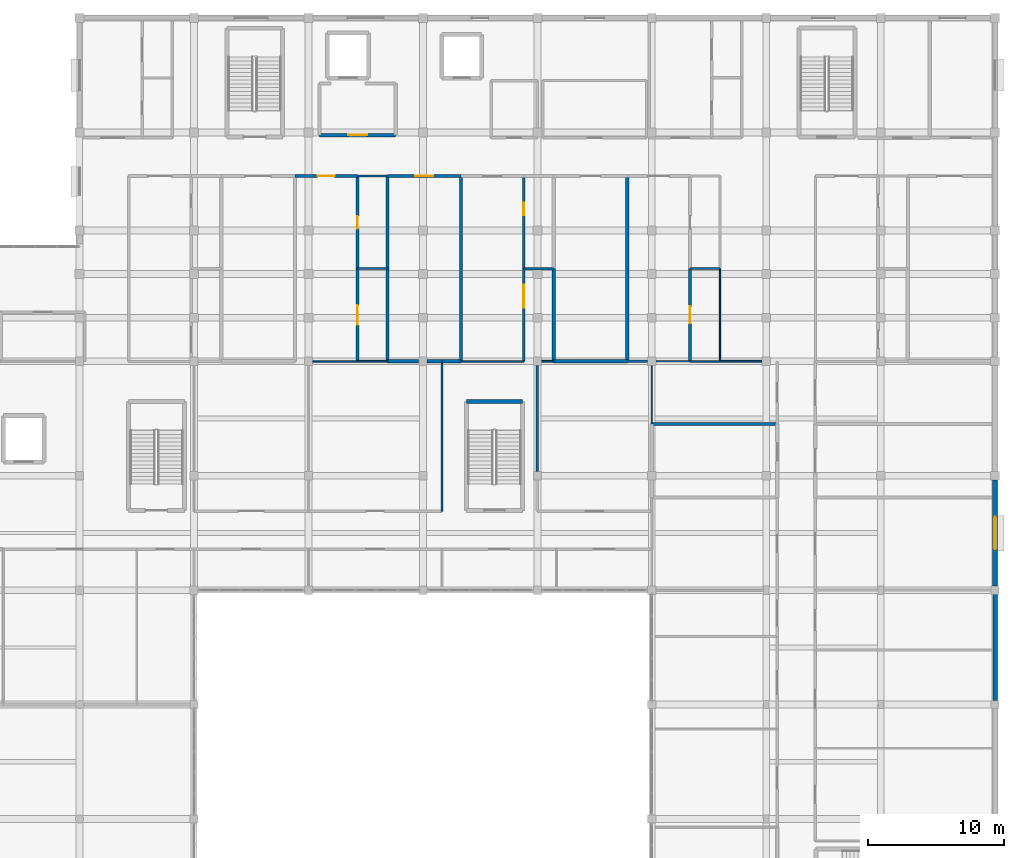
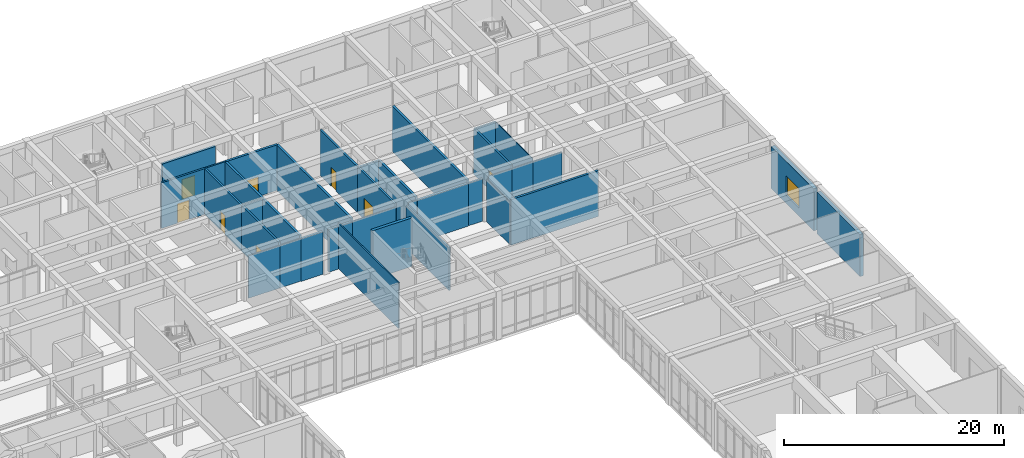
# One storey, part 68 of 89: 37 walls, 8 doors, 1 window, 9 openings.
"""IFC4 building model written with IfcOpenShell, lengths in metres."""

import ifcopenshell
import ifcopenshell.guid

model = None  # the IFC model being written
_history = None  # IfcOwnerHistory: only IFC2X3 demands one
_inside = {}  # id of a spatial element -> (the spatial element, [elements in it])
_under = {}  # id of a project, library or spatial element -> (it, [spatial elements below it])
_declared = {}  # id of a project -> (the project, [libraries it declares])
_typed = {}  # id of a type object -> (the type object, [elements of that type])
_made_of = {}  # id of a material, layer set ... -> (it, [elements and type objects made of it])


def new_model(schema):
    """Start an empty IFC model of exactly this schema.

    Asked for "IFC4X3", IfcOpenShell would pick the latest addendum, in which some entities
    have other attributes; the version numbers below select the first issue.
    IFC2X3 requires an IfcOwnerHistory on every rooted entity: one is made here for all.
    """
    global model, _history
    if schema == "IFC4X3":
        model = ifcopenshell.file(schema_version=(4, 3, 0, 0))
    else:
        model = ifcopenshell.file(schema=schema)
    _inside.clear()
    _under.clear()
    _declared.clear()
    _typed.clear()
    _made_of.clear()
    _history = None
    if model.schema == "IFC2X3":
        org = make("IfcOrganization", Name="unknown")
        user = make(
            "IfcPersonAndOrganization",
            ThePerson=make("IfcPerson", FamilyName="unknown"),
            TheOrganization=org,
        )
        app = make(
            "IfcApplication",
            ApplicationDeveloper=org,
            Version="unknown",
            ApplicationFullName="unknown",
            ApplicationIdentifier="unknown",
        )
        _history = make(
            "IfcOwnerHistory",
            OwningUser=user,
            OwningApplication=app,
            ChangeAction="ADDED",
            CreationDate=0,
        )
    return model


def make(cls, **values):
    """One entity of the class cls with the attributes given. An attribute that is None is left unset."""
    return model.create_entity(
        cls, **{name: value for name, value in values.items() if value is not None}
    )


def rooted(cls, **values):
    """An entity with a GlobalId (a new one), such as an element, a storey or a relation."""
    return make(cls, GlobalId=ifcopenshell.guid.new(), OwnerHistory=_history, **values)


def si_unit(unit_type, name, prefix=None):
    """IfcSIUnit, for example si_unit("LENGTHUNIT", "METRE", prefix="MILLI")."""
    return make("IfcSIUnit", UnitType=unit_type, Prefix=prefix, Name=name)


def assignment(units):
    """IfcUnitAssignment: the units of a project."""
    return None if units is None else make("IfcUnitAssignment", Units=units)


def point(xyz):
    """IfcCartesianPoint."""
    return None if xyz is None else make("IfcCartesianPoint", Coordinates=xyz)


def direction(xyz):
    """IfcDirection."""
    return None if xyz is None else make("IfcDirection", DirectionRatios=xyz)


def frame(location, z_axis=None, x_axis=None):
    """IfcAxis2Placement3D, a coordinate frame: its origin and axes. An axis left out is left unset."""
    return make(
        "IfcAxis2Placement3D",
        Location=point(location),
        Axis=direction(z_axis),
        RefDirection=direction(x_axis),
    )


def frame_2d(location, x_axis=None):
    """IfcAxis2Placement2D, a coordinate frame in the plane: its origin and x axis."""
    return make(
        "IfcAxis2Placement2D", Location=point(location), RefDirection=direction(x_axis)
    )


def origin():
    """The frame at (0, 0, 0) with its axes left unset."""
    return frame((0.0, 0.0, 0.0))


def place(relative_to, where):
    """IfcLocalPlacement: puts the frame where relative to a parent placement (None: the world)."""
    return make(
        "IfcLocalPlacement", PlacementRelTo=relative_to, RelativePlacement=where
    )


def context(
    kind, dimensions, precision=None, world=None, true_north=None, identifier=None
):
    """IfcGeometricRepresentationContext, for example the 3D "Model" context."""
    return make(
        "IfcGeometricRepresentationContext",
        ContextIdentifier=identifier,
        ContextType=kind,
        CoordinateSpaceDimension=dimensions,
        Precision=precision,
        WorldCoordinateSystem=world,
        TrueNorth=true_north,
    )


def subcontext(parent, identifier, kind, view, scale=None):
    """IfcGeometricRepresentationSubContext, for example "Body" below "Model"."""
    return make(
        "IfcGeometricRepresentationSubContext",
        ContextIdentifier=identifier,
        ContextType=kind,
        ParentContext=parent,
        TargetScale=scale,
        TargetView=view,
    )


def project(units=None, contexts=None):
    """IfcProject with its units and contexts."""
    return rooted(
        "IfcProject",
        Name="project",
        RepresentationContexts=contexts,
        UnitsInContext=assignment(units),
    )


def spatial(cls, under=None, at=None, **own):
    """A site, building, storey or space (cls), placed at a placement, below another one or the project."""
    s = rooted(cls, ObjectPlacement=at, **own)
    if under is not None:
        _under.setdefault(under.id(), (under, []))[1].append(s)
    return s


def profile(cls, at=None, kind="AREA", **sizes):
    """A parametric profile (cls). Its sizes go by their IFC names, for example OverallWidth=200.0."""
    return make(cls, ProfileType=kind, Position=at, **sizes)


def rectangle(**sizes):
    """IfcRectangleProfileDef."""
    return profile("IfcRectangleProfileDef", **sizes)


def extrude(swept, where, along, depth):
    """IfcExtrudedAreaSolid: the profile swept, set in the frame where, extruded along a direction by depth."""
    return make(
        "IfcExtrudedAreaSolid",
        SweptArea=swept,
        Position=where,
        ExtrudedDirection=direction(along),
        Depth=depth,
    )


def shape(context_of_items, identifier, shape_type, items):
    """IfcShapeRepresentation: the items that make up one representation, for example the "Body"."""
    return make(
        "IfcShapeRepresentation",
        ContextOfItems=context_of_items,
        RepresentationIdentifier=identifier,
        RepresentationType=shape_type,
        Items=items,
    )


def material(Name=None, Category=None):
    """IfcMaterial."""
    return make("IfcMaterial", Name=Name, Category=Category)


def layer(
    of_material, thickness, ventilated=None, Name=None, Category=None, Priority=None
):
    """IfcMaterialLayer: one layer of a wall or slab, of a material (None: an air gap)."""
    return make(
        "IfcMaterialLayer",
        Material=of_material,
        LayerThickness=thickness,
        IsVentilated=ventilated,
        Name=Name,
        Category=Category,
        Priority=Priority,
    )


def layer_set(layers, Name=None):
    """IfcMaterialLayerSet."""
    return make("IfcMaterialLayerSet", MaterialLayers=layers, LayerSetName=Name)


def made_of(thing, what):
    """Note that an element or type object is made of a material, layer set ...; save() writes the relation."""
    if what is not None:
        _made_of.setdefault(what.id(), (what, []))[1].append(thing)
    return thing


def type_object(cls, material=None, **own):
    """A type object (cls), such as IfcWallType, which elements share."""
    return made_of(rooted(cls, **own), material)


def element(
    cls,
    number,
    at=None,
    inside=None,
    cuts=None,
    type_object=None,
    material=None,
    context=None,
    identifier="Body",
    shape_type=None,
    held_by="IfcProductDefinitionShape",
    body=None,
    shapes=None,
    **own,
):
    """One element of the class cls, such as IfcWall. Its Tag is "e" and its number.

    at: its placement. inside: the storey or other place that contains it. cuts: it is an
    opening in that element (IfcRelVoidsElement). A single representation is given by context,
    identifier, shape_type and body (its items); several are given by shapes. held_by: the class
    of the entity that holds the representations. save() writes the other relations.
    """
    e = rooted(cls, Tag="e%d" % number, ObjectPlacement=at, **own)
    if body is not None:
        shapes = [shape(context, identifier, shape_type, body)]
    if shapes is not None:
        e.Representation = make(held_by, Representations=shapes)
    if inside is not None:
        _inside.setdefault(inside.id(), (inside, []))[1].append(e)
    if cuts is not None:
        rooted(
            "IfcRelVoidsElement", RelatingBuildingElement=cuts, RelatedOpeningElement=e
        )
    if type_object is not None:
        _typed.setdefault(type_object.id(), (type_object, []))[1].append(e)
    return made_of(e, material)


def fill(opening, filler):
    """IfcRelFillsElement: the door or window that sits in an opening."""
    return rooted(
        "IfcRelFillsElement",
        RelatingOpeningElement=opening,
        RelatedBuildingElement=filler,
    )


def aggregate(whole, parts):
    """IfcRelAggregates: a whole, such as a stair, and the parts it consists of."""
    return rooted("IfcRelAggregates", RelatingObject=whole, RelatedObjects=parts)


def save(model, path):
    """Write the relations noted so far, then the file.

    IfcRelAggregates (storeys below a building ...), IfcRelContainedInSpatialStructure (elements
    in a storey), IfcRelDefinesByType, IfcRelAssociatesMaterial and IfcRelDeclares: one each for
    every whole, place, type object, material and project.
    """
    for whole, parts in _under.values():
        aggregate(whole, parts)
    for where, things in _inside.values():
        rooted(
            "IfcRelContainedInSpatialStructure",
            RelatedElements=things,
            RelatingStructure=where,
        )
    for kind, things in _typed.values():
        rooted("IfcRelDefinesByType", RelatedObjects=things, RelatingType=kind)
    for what, things in _made_of.values():
        rooted("IfcRelAssociatesMaterial", RelatedObjects=things, RelatingMaterial=what)
    for by, libraries in _declared.values():
        rooted("IfcRelDeclares", RelatingContext=by, RelatedDefinitions=libraries)
    model.write(path)


model = new_model("IFC4")

# Units and contexts
model_context = context("Model", 3, precision=1e-05, world=origin(), true_north=direction((0.0, 1.0)))
body_context = subcontext(model_context, "Body", "Model", "MODEL_VIEW")
ifc_project = project(units=[si_unit("LENGTHUNIT", "METRE"), si_unit("AREAUNIT", "SQUARE_METRE"), si_unit("VOLUMEUNIT", "CUBIC_METRE"), si_unit("PLANEANGLEUNIT", "RADIAN"), si_unit("MASSUNIT", "GRAM", prefix="KILO")], contexts=[model_context])

# Site, building, storey
site_placement = place(None, origin())
site = spatial("IfcSite", under=ifc_project, at=site_placement, CompositionType="ELEMENT")
building_placement = place(site_placement, origin())
building = spatial("IfcBuilding", under=site, at=building_placement, Name="Varncliffe General Hospital", CompositionType="ELEMENT")
storey_placement = place(building_placement, frame((0.0, 0.0, 10.800048828125)))
storey = spatial("IfcBuildingStorey", under=building, at=storey_placement, Name="L02", CompositionType="ELEMENT", Elevation=10.800048828125)

# Wall, opening, window
ifc_material_1 = material(Name="Precast concrete C40/50 with insulated cream lime-cement stucco", Category="concrete")
ifc_layer_1 = layer(ifc_material_1, 0.3798828125)
ifc_layer_set_1 = layer_set([ifc_layer_1], Name="Precast concrete C40/50 with insulated cream lime-cement stucco")
wall_type_1 = type_object("IfcWallType", Name="Exterior Insulated Stucco Wall EW26 (380mm)", PredefinedType="SOLIDWALL", material=ifc_layer_set_1)
wall_1_placement = place(storey_placement, frame((176.39990234375, 90.876953125, 0.0), z_axis=(0.0, 0.0, 1.0), x_axis=(0.0, -1.0, 0.0)))
wall_1 = element("IfcWall", 1, at=wall_1_placement, inside=storey, type_object=wall_type_1, Name="L02 Exterior Stucco Wall EW26-200", PredefinedType="SOLIDWALL", context=body_context, shape_type="SweptSolid", body=[
    extrude(rectangle(XDim=7.779052734375, YDim=0.3798828125, at=frame_2d((3.8896484375, 0.0))), origin(), (0.0, 0.0, 1.0), 4.679931640625),
])
opening_1_placement = place(wall_1_placement, frame((2.689453125, 0.0, 0.89990234375)))
opening_1 = element("IfcOpeningElement", 2, at=opening_1_placement, cuts=wall_1, Name="Opening WN61", PredefinedType="OPENING", context=body_context, shape_type="SweptSolid", body=[
    extrude(rectangle(XDim=2.39990234375, YDim=2.14990234375, at=frame_2d((1.199951171875, 1.074951171875))), frame((0.0, 0.199951171875, 0.0), z_axis=(0.0, -1.0, 0.0), x_axis=(1.0, 0.0, 0.0)), (0.0, 0.0, 1.0), 0.39990234375),
])
ifc_material_2 = material(Name="Triple low-E argon insulated vision glazing", Category="glass")
window_type = type_object("IfcWindowType", Name="Triple-Glazed Hospital Window WN61 (2400x2150)", PartitioningType="DOUBLE_PANEL_VERTICAL", PredefinedType="WINDOW", material=ifc_material_2)
window_placement = place(opening_1_placement, origin())
window = element("IfcWindow", 3, at=window_placement, inside=storey, type_object=window_type, Name="L02 Hospital Window WN61-126", OverallHeight=2.14990234375, OverallWidth=2.39990234375, PartitioningType="DOUBLE_PANEL_VERTICAL", PredefinedType="WINDOW", context=body_context, shape_type="SweptSolid", body=[
    extrude(rectangle(XDim=2.39990234375, YDim=2.14990234375, at=frame_2d((1.199951171875, 1.074951171875))), frame((0.0, 0.030029296875, 0.0), z_axis=(0.0, -1.0, 0.0), x_axis=(1.0, 0.0, 0.0)), (0.0, 0.0, 1.0), 0.06005859375),
])
fill(opening_1, window)

# Walls
ifc_layer_2 = layer(ifc_material_1, 0.35009765625)
ifc_layer_set_2 = layer_set([ifc_layer_2], Name="Precast concrete C40/50 with insulated cream lime-cement stucco")
wall_type_2 = type_object("IfcWallType", Name="Exterior Insulated Stucco Wall EW37 (350mm)", PredefinedType="SOLIDWALL", material=ifc_layer_set_2)
wall_2_placement = place(storey_placement, frame((176.39990234375, 82.501953125, 0.0), z_axis=(0.0, 0.0, 1.0), x_axis=(0.0, -1.0, 0.0)))
element("IfcWall", 4, at=wall_2_placement, inside=storey, type_object=wall_type_2, Name="L02 Exterior Stucco Wall EW37-201", PredefinedType="SOLIDWALL", context=body_context, shape_type="SweptSolid", body=[
    extrude(rectangle(XDim=7.803955078125, YDim=0.35009765625, at=frame_2d((3.90185546875, 0.0))), origin(), (0.0, 0.0, 1.0), 4.679931640625),
])
ifc_material_3 = material(Name="Acoustic clinical gypsum stud partition assembly", Category="gypsum")
ifc_layer_3 = layer(ifc_material_3, 0.1298828125)
ifc_layer_set_3 = layer_set([ifc_layer_3], Name="Acoustic clinical gypsum stud partition assembly")
wall_type_3 = type_object("IfcWallType", Name="Interior Partitioning IW11 (130mm)", PredefinedType="PARTITIONING", material=ifc_layer_set_3)
wall_3_placement = place(storey_placement, frame((129.60009765625, 99.60009765625, 0.0), z_axis=(0.0, 0.0, 1.0), x_axis=(1.0, 0.0, 0.0)))
element("IfcWall", 5, at=wall_3_placement, inside=storey, type_object=wall_type_3, Name="L02 Interior Partition Wall IW11-1033", PredefinedType="PARTITIONING", context=body_context, shape_type="SweptSolid", body=[
    extrude(rectangle(XDim=2.199951171875, YDim=0.1298828125, at=frame_2d((1.10009765625, 0.0))), origin(), (0.0, 0.0, 1.0), 4.73486328125),
])
wall_4_placement = place(storey_placement, frame((143.114990234375, 99.60009765625, 0.0), z_axis=(0.0, 0.0, 1.0), x_axis=(1.0, 0.0, 0.0)))
element("IfcWall", 6, at=wall_4_placement, inside=storey, type_object=wall_type_3, Name="L02 Interior Partition Wall IW11-1038", PredefinedType="PARTITIONING", context=body_context, shape_type="SweptSolid", body=[
    extrude(rectangle(XDim=0.885009765625, YDim=0.1298828125, at=frame_2d((0.4423828125, 0.0))), origin(), (0.0, 0.0, 1.0), 4.73486328125),
])
wall_5_placement = place(storey_placement, frame((156.199951171875, 99.60009765625, 0.0), z_axis=(0.0, 0.0, 1.0), x_axis=(1.0, 0.0, 0.0)))
element("IfcWall", 7, at=wall_5_placement, inside=storey, type_object=wall_type_3, Name="L02 Interior Partition Wall IW11-1043", PredefinedType="PARTITIONING", context=body_context, shape_type="SweptSolid", body=[
    extrude(rectangle(XDim=3.06005859375, YDim=0.1298828125, at=frame_2d((1.530029296875, 0.0))), origin(), (0.0, 0.0, 1.0), 4.73486328125),
])
wall_6_placement = place(storey_placement, frame((135.800048828125, 88.60009765625, 0.0), z_axis=(0.0, 0.0, 1.0), x_axis=(0.0, 1.0, 0.0)))
element("IfcWall", 8, at=wall_6_placement, inside=storey, type_object=wall_type_3, Name="L02 Interior Partition Wall IW11-1253", PredefinedType="PARTITIONING", context=body_context, shape_type="SweptSolid", body=[
    extrude(rectangle(XDim=11.0, YDim=0.1298828125, at=frame_2d((5.5, 0.0))), origin(), (0.0, 0.0, 1.0), 5.070068359375),
])
ifc_layer_4 = layer(ifc_material_3, 0.169921875)
ifc_layer_set_4 = layer_set([ifc_layer_4], Name="Acoustic clinical gypsum stud partition assembly")
wall_type_4 = type_object("IfcWallType", Name="Interior Partitioning IW20 (170mm)", PredefinedType="PARTITIONING", material=ifc_layer_set_4)
wall_7_placement = place(storey_placement, frame((149.39990234375, 99.60009765625, 0.0), z_axis=(0.0, 0.0, 1.0), x_axis=(1.0, 0.0, 0.0)))
element("IfcWall", 9, at=wall_7_placement, inside=storey, type_object=wall_type_4, Name="L02 Interior Partition Wall IW20-1040", PredefinedType="PARTITIONING", context=body_context, shape_type="SweptSolid", body=[
    extrude(rectangle(XDim=1.485107421875, YDim=0.169921875, at=frame_2d((0.74267578125, 0.0))), origin(), (0.0, 0.0, 1.0), 4.73486328125),
])
wall_8_placement = place(storey_placement, frame((142.800048828125, 91.514892578125, 0.0), z_axis=(0.0, 0.0, 1.0), x_axis=(0.0, 1.0, 0.0)))
element("IfcWall", 10, at=wall_8_placement, inside=storey, type_object=wall_type_4, Name="L02 Interior Partition Wall IW20-1260", PredefinedType="PARTITIONING", context=body_context, shape_type="SweptSolid", body=[
    extrude(rectangle(XDim=7.77001953125, YDim=0.169921875, at=frame_2d((3.885009765625, 0.0))), origin(), (0.0, 0.0, 1.0), 4.73486328125),
])
ifc_layer_5 = layer(ifc_material_3, 0.090087890625)
ifc_layer_set_5 = layer_set([ifc_layer_5], Name="Acoustic clinical gypsum stud partition assembly")
wall_type_5 = type_object("IfcWallType", Name="Interior Partitioning IW42 (90mm)", PredefinedType="PARTITIONING", material=ifc_layer_set_5)
wall_9_placement = place(storey_placement, frame((151.514892578125, 99.60009765625, 0.0), z_axis=(0.0, 0.0, 1.0), x_axis=(1.0, 0.0, 0.0)))
element("IfcWall", 11, at=wall_9_placement, inside=storey, type_object=wall_type_5, Name="L02 Interior Partition Wall IW42-1041", PredefinedType="PARTITIONING", context=body_context, shape_type="SweptSolid", body=[
    extrude(rectangle(XDim=2.485107421875, YDim=0.090087890625, at=frame_2d((1.24267578125, 0.0))), origin(), (0.0, 0.0, 1.0), 4.73486328125),
])
wall_10_placement = place(storey_placement, frame((151.199951171875, 95.0, 0.0), z_axis=(0.0, 0.0, 1.0), x_axis=(0.0, 1.0, 0.0)))
element("IfcWall", 12, at=wall_10_placement, inside=storey, type_object=wall_type_5, Name="L02 Interior Partition Wall IW42-1281", PredefinedType="PARTITIONING", context=body_context, shape_type="SweptSolid", body=[
    extrude(rectangle(XDim=4.284912109375, YDim=0.090087890625, at=frame_2d((2.142578125, 0.0))), origin(), (0.0, 0.0, 1.0), 4.73486328125),
])
wall_11_placement = place(storey_placement, frame((156.199951171875, 99.60009765625, 0.0), z_axis=(0.0, 0.0, 1.0), x_axis=(0.0, 1.0, 0.0)))
element("IfcWall", 13, at=wall_11_placement, inside=storey, type_object=wall_type_5, Name="L02 Interior Partition Wall IW42-1286", PredefinedType="PARTITIONING", context=body_context, shape_type="SweptSolid", body=[
    extrude(rectangle(XDim=6.7998046875, YDim=0.090087890625, at=frame_2d((3.39990234375, 0.0))), origin(), (0.0, 0.0, 1.0), 5.070068359375),
])
ifc_layer_6 = layer(ifc_material_3, 0.110107421875)
ifc_layer_set_6 = layer_set([ifc_layer_6], Name="Acoustic clinical gypsum stud partition assembly")
wall_type_6 = type_object("IfcWallType", Name="Interior Partitioning IW65 (110mm)", PredefinedType="PARTITIONING", material=ifc_layer_set_6)
wall_12_placement = place(storey_placement, frame((126.31494140625, 99.60009765625, 0.0), z_axis=(0.0, 0.0, 1.0), x_axis=(1.0, 0.0, 0.0)))
element("IfcWall", 14, at=wall_12_placement, inside=storey, type_object=wall_type_6, Name="L02 Interior Partition Wall IW65-1032", PredefinedType="PARTITIONING", context=body_context, shape_type="SweptSolid", body=[
    extrude(rectangle(XDim=3.28515625, YDim=0.110107421875, at=frame_2d((1.642578125, 0.0))), origin(), (0.0, 0.0, 1.0), 4.73486328125),
])
wall_13_placement = place(storey_placement, frame((137.199951171875, 99.60009765625, 0.0), z_axis=(0.0, 0.0, 1.0), x_axis=(1.0, 0.0, 0.0)))
element("IfcWall", 15, at=wall_13_placement, inside=storey, type_object=wall_type_6, Name="L02 Interior Partition Wall IW65-1037", PredefinedType="PARTITIONING", context=body_context, shape_type="SweptSolid", body=[
    extrude(rectangle(XDim=4.60009765625, YDim=0.110107421875, at=frame_2d((2.300048828125, 0.0))), origin(), (0.0, 0.0, 1.0), 4.73486328125),
])
wall_14_placement = place(storey_placement, frame((154.0, 99.60009765625, 0.0), z_axis=(0.0, 0.0, 1.0), x_axis=(1.0, 0.0, 0.0)))
element("IfcWall", 16, at=wall_14_placement, inside=storey, type_object=wall_type_6, Name="L02 Interior Partition Wall IW65-1042", PredefinedType="PARTITIONING", context=body_context, shape_type="SweptSolid", body=[
    extrude(rectangle(XDim=2.199951171875, YDim=0.110107421875, at=frame_2d((1.10009765625, 0.0))), origin(), (0.0, 0.0, 1.0), 4.73486328125),
])
ifc_material_4 = material(Name="Fire-rated gypsum and mineral-wool partition assembly", Category="gypsum")
ifc_layer_7 = layer(ifc_material_4, 0.25)
ifc_layer_set_7 = layer_set([ifc_layer_7], Name="Fire-rated gypsum and mineral-wool partition assembly")
wall_type_7 = type_object("IfcWallType", Name="Interior Partitioning PW38 (250mm)", PredefinedType="PARTITIONING", material=ifc_layer_set_7)
wall_15_placement = place(storey_placement, frame((144.0, 99.60009765625, 0.0), z_axis=(0.0, 0.0, 1.0), x_axis=(1.0, 0.0, 0.0)))
element("IfcWall", 17, at=wall_15_placement, inside=storey, type_object=wall_type_7, Name="L02 Interior Partition Wall PW38-1039", PredefinedType="PARTITIONING", context=body_context, shape_type="SweptSolid", body=[
    extrude(rectangle(XDim=5.39990234375, YDim=0.25, at=frame_2d((2.699951171875, 0.0))), origin(), (0.0, 0.0, 1.0), 4.73486328125),
])

# Wall, opening, door
wall_16_placement = place(storey_placement, frame((126.800048828125, 116.199951171875, 0.0), z_axis=(0.0, 0.0, 1.0), x_axis=(1.0, 0.0, 0.0)))
wall_16 = element("IfcWall", 18, at=wall_16_placement, inside=storey, type_object=wall_type_7, Name="L02 Interior Partition Wall PW38-1107", PredefinedType="PARTITIONING", context=body_context, shape_type="SweptSolid", body=[
    extrude(rectangle(XDim=5.599853515625, YDim=0.25, at=frame_2d((2.7998046875, 0.0))), origin(), (0.0, 0.0, 1.0), 4.73486328125),
])
opening_2_placement = place(wall_16_placement, frame((2.10009765625, 0.0, 0.0)))
opening_2 = element("IfcOpeningElement", 19, at=opening_2_placement, cuts=wall_16, Name="Opening DF81", PredefinedType="OPENING", context=body_context, shape_type="SweptSolid", body=[
    extrude(rectangle(XDim=1.39990234375, YDim=2.199951171875, at=frame_2d((0.699951171875, 1.10009765625))), frame((0.0, 0.135009765625, 0.0), z_axis=(0.0, -1.0, 0.0), x_axis=(1.0, 0.0, 0.0)), (0.0, 0.0, 1.0), 0.27001953125),
])
ifc_material_5 = material(Name="Fire-rated hospital steel-frame vision-panel door", Category="steel")
door_type_1 = type_object("IfcDoorType", Name="Interior Hospital Door DF81 (1400x2200)", OperationType="NOTDEFINED", PredefinedType="DOOR", material=ifc_material_5)
door_1_placement = place(opening_2_placement, origin())
door_1 = element("IfcDoor", 20, at=door_1_placement, inside=storey, type_object=door_type_1, Name="L02 Firefighting Lift Lobby LF03 Door", OperationType="SINGLE_SWING_RIGHT", OverallHeight=2.199951171875, OverallWidth=1.39990234375, PredefinedType="DOOR", context=body_context, shape_type="SweptSolid", body=[
    extrude(rectangle(XDim=1.39990234375, YDim=2.199951171875, at=frame_2d((0.699951171875, 1.10009765625))), frame((0.0, 0.02490234375, 0.0), z_axis=(0.0, -1.0, 0.0), x_axis=(1.0, 0.0, 0.0)), (0.0, 0.0, 1.0), 0.050048828125),
])
fill(opening_2, door_1)

# Walls
wall_17_placement = place(storey_placement, frame((131.800048828125, 99.60009765625, 0.0), z_axis=(0.0, 0.0, 1.0), x_axis=(0.0, 1.0, 0.0)))
element("IfcWall", 21, at=wall_17_placement, inside=storey, type_object=wall_type_7, Name="L02 Interior Partition Wall PW38-1249", PredefinedType="PARTITIONING", context=body_context, shape_type="SweptSolid", body=[
    extrude(rectangle(XDim=6.7998046875, YDim=0.25, at=frame_2d((3.39990234375, 0.0))), origin(), (0.0, 0.0, 1.0), 5.070068359375),
])
ifc_layer_8 = layer(ifc_material_4, 0.22998046875)
ifc_layer_set_8 = layer_set([ifc_layer_8], Name="Fire-rated gypsum and mineral-wool partition assembly")
wall_type_8 = type_object("IfcWallType", Name="Interior Partitioning PW48 (230mm)", PredefinedType="PARTITIONING", material=ifc_layer_set_8)
wall_18_placement = place(storey_placement, frame((151.199951171875, 95.0, 0.0), z_axis=(0.0, 0.0, 1.0), x_axis=(1.0, 0.0, 0.0)))
element("IfcWall", 22, at=wall_18_placement, inside=storey, type_object=wall_type_8, Name="L02 Interior Partition Wall PW48-990", PredefinedType="PARTITIONING", context=body_context, shape_type="SweptSolid", body=[
    extrude(rectangle(XDim=9.199951171875, YDim=0.22998046875, at=frame_2d((4.60009765625, 0.0))), origin(), (0.0, 0.0, 1.0), 5.070068359375),
])
wall_19_placement = place(storey_placement, frame((131.800048828125, 99.60009765625, 0.0), z_axis=(0.0, 0.0, 1.0), x_axis=(1.0, 0.0, 0.0)))
element("IfcWall", 23, at=wall_19_placement, inside=storey, type_object=wall_type_8, Name="L02 Interior Partition Wall PW48-1034", PredefinedType="PARTITIONING", context=body_context, shape_type="SweptSolid", body=[
    extrude(rectangle(XDim=2.284912109375, YDim=0.22998046875, at=frame_2d((1.142578125, 0.0))), origin(), (0.0, 0.0, 1.0), 4.73486328125),
])
wall_20_placement = place(storey_placement, frame((134.715087890625, 99.60009765625, 0.0), z_axis=(0.0, 0.0, 1.0), x_axis=(1.0, 0.0, 0.0)))
element("IfcWall", 24, at=wall_20_placement, inside=storey, type_object=wall_type_8, Name="L02 Interior Partition Wall PW48-1035", PredefinedType="PARTITIONING", context=body_context, shape_type="SweptSolid", body=[
    extrude(rectangle(XDim=1.0849609375, YDim=0.22998046875, at=frame_2d((0.54248046875, 0.0))), origin(), (0.0, 0.0, 1.0), 4.73486328125),
])
wall_21_placement = place(storey_placement, frame((135.800048828125, 99.60009765625, 0.0), z_axis=(0.0, 0.0, 1.0), x_axis=(1.0, 0.0, 0.0)))
element("IfcWall", 25, at=wall_21_placement, inside=storey, type_object=wall_type_8, Name="L02 Interior Partition Wall PW48-1036", PredefinedType="PARTITIONING", context=body_context, shape_type="SweptSolid", body=[
    extrude(rectangle(XDim=1.39990234375, YDim=0.22998046875, at=frame_2d((0.699951171875, 0.0))), origin(), (0.0, 0.0, 1.0), 4.73486328125),
])

# Wall, opening, door
wall_22_placement = place(storey_placement, frame((131.800048828125, 113.199951171875, 0.0), z_axis=(0.0, 0.0, 1.0), x_axis=(1.0, 0.0, 0.0)))
wall_22 = element("IfcWall", 26, at=wall_22_placement, inside=storey, type_object=wall_type_8, Name="L02 Interior Partition Wall PW48-1082", PredefinedType="PARTITIONING", context=body_context, shape_type="SweptSolid", body=[
    extrude(rectangle(XDim=5.39990234375, YDim=0.22998046875, at=frame_2d((2.699951171875, 0.0))), origin(), (0.0, 0.0, 1.0), 5.070068359375),
])
opening_3_placement = place(wall_22_placement, frame((2.050048828125, 0.0, 0.0)))
opening_3 = element("IfcOpeningElement", 27, at=opening_3_placement, cuts=wall_22, Name="Opening DC88", PredefinedType="OPENING", context=body_context, shape_type="SweptSolid", body=[
    extrude(rectangle(XDim=1.300048828125, YDim=2.199951171875, at=frame_2d((0.64990234375, 1.10009765625))), frame((0.0, 0.125, 0.0), z_axis=(0.0, -1.0, 0.0), x_axis=(1.0, 0.0, 0.0)), (0.0, 0.0, 1.0), 0.25),
])
door_type_2 = type_object("IfcDoorType", Name="Interior Hospital Door DC88 (1300x2200)", OperationType="NOTDEFINED", PredefinedType="DOOR", material=ifc_material_5)
door_2_placement = place(opening_3_placement, frame((1.300048828125, 0.0, 0.0), z_axis=(0.0, 0.0, 1.0), x_axis=(-1.0, 0.0, 0.0)))
door_2 = element("IfcDoor", 28, at=door_2_placement, inside=storey, type_object=door_type_2, Name="L02 Surgical Sub-Sterile Utility Store 134 Door", OperationType="SINGLE_SWING_LEFT", OverallHeight=2.199951171875, OverallWidth=1.300048828125, PredefinedType="DOOR", context=body_context, shape_type="SweptSolid", body=[
    extrude(rectangle(XDim=1.300048828125, YDim=2.199951171875, at=frame_2d((0.64990234375, 1.10009765625))), frame((0.0, 0.02490234375, 0.0), z_axis=(0.0, -1.0, 0.0), x_axis=(1.0, 0.0, 0.0)), (0.0, 0.0, 1.0), 0.050048828125),
])
fill(opening_3, door_2)

# Walls
wall_23_placement = place(storey_placement, frame((131.800048828125, 106.39990234375, 0.0), z_axis=(0.0, 0.0, 1.0), x_axis=(0.0, 1.0, 0.0)))
element("IfcWall", 29, at=wall_23_placement, inside=storey, type_object=wall_type_8, Name="L02 Interior Partition Wall PW48-1250", PredefinedType="PARTITIONING", context=body_context, shape_type="SweptSolid", body=[
    extrude(rectangle(XDim=6.800048828125, YDim=0.22998046875, at=frame_2d((3.39990234375, 0.0))), origin(), (0.0, 0.0, 1.0), 5.070068359375),
])
wall_24_placement = place(storey_placement, frame((137.199951171875, 99.60009765625, 0.0), z_axis=(0.0, 0.0, 1.0), x_axis=(0.0, 1.0, 0.0)))
element("IfcWall", 30, at=wall_24_placement, inside=storey, type_object=wall_type_8, Name="L02 Interior Partition Wall PW48-1254", PredefinedType="PARTITIONING", context=body_context, shape_type="SweptSolid", body=[
    extrude(rectangle(XDim=13.599853515625, YDim=0.22998046875, at=frame_2d((6.7998046875, 0.0))), origin(), (0.0, 0.0, 1.0), 5.070068359375),
])
wall_25_placement = place(storey_placement, frame((144.0, 99.60009765625, 0.0), z_axis=(0.0, 0.0, 1.0), x_axis=(0.0, 1.0, 0.0)))
element("IfcWall", 31, at=wall_25_placement, inside=storey, type_object=wall_type_8, Name="L02 Interior Partition Wall PW48-1264", PredefinedType="PARTITIONING", context=body_context, shape_type="SweptSolid", body=[
    extrude(rectangle(XDim=6.7998046875, YDim=0.22998046875, at=frame_2d((3.39990234375, 0.0))), origin(), (0.0, 0.0, 1.0), 5.070068359375),
])
wall_26_placement = place(storey_placement, frame((149.39990234375, 99.60009765625, 0.0), z_axis=(0.0, 0.0, 1.0), x_axis=(0.0, 1.0, 0.0)))
element("IfcWall", 32, at=wall_26_placement, inside=storey, type_object=wall_type_8, Name="L02 Interior Partition Wall PW48-1268", PredefinedType="PARTITIONING", context=body_context, shape_type="SweptSolid", body=[
    extrude(rectangle(XDim=13.599853515625, YDim=0.22998046875, at=frame_2d((6.7998046875, 0.0))), origin(), (0.0, 0.0, 1.0), 5.070068359375),
])

# Wall, opening, door
ifc_layer_9 = layer(ifc_material_4, 0.199951171875)
ifc_layer_set_9 = layer_set([ifc_layer_9], Name="Fire-rated gypsum and mineral-wool partition assembly")
wall_type_9 = type_object("IfcWallType", Name="Interior Partitioning PW63 (200mm)", PredefinedType="PARTITIONING", material=ifc_layer_set_9)
wall_27_placement = place(storey_placement, frame((125.0, 113.199951171875, 0.0), z_axis=(0.0, 0.0, 1.0), x_axis=(1.0, 0.0, 0.0)))
wall_27 = element("IfcWall", 33, at=wall_27_placement, inside=storey, type_object=wall_type_9, Name="L02 Interior Partition Wall PW63-1080", PredefinedType="PARTITIONING", context=body_context, shape_type="SweptSolid", body=[
    extrude(rectangle(XDim=4.60009765625, YDim=0.199951171875, at=frame_2d((2.300048828125, 0.0))), origin(), (0.0, 0.0, 1.0), 5.070068359375),
])
opening_4_placement = place(wall_27_placement, frame((1.675048828125, 0.0, 0.0)))
opening_4 = element("IfcOpeningElement", 34, at=opening_4_placement, cuts=wall_27, Name="Opening DC44", PredefinedType="OPENING", context=body_context, shape_type="SweptSolid", body=[
    extrude(rectangle(XDim=1.25, YDim=2.14990234375, at=frame_2d((0.625, 1.074951171875))), frame((0.0, 0.10986328125, 0.0), z_axis=(0.0, -1.0, 0.0), x_axis=(1.0, 0.0, 0.0)), (0.0, 0.0, 1.0), 0.219970703125),
])
door_type_3 = type_object("IfcDoorType", Name="Interior Hospital Door DC44 (1250x2150)", OperationType="NOTDEFINED", PredefinedType="DOOR", material=ifc_material_5)
door_3_placement = place(opening_4_placement, frame((1.25, 0.0, 0.0), z_axis=(0.0, 0.0, 1.0), x_axis=(-1.0, 0.0, 0.0)))
door_3 = element("IfcDoor", 35, at=door_3_placement, inside=storey, type_object=door_type_3, Name="L02 Surgical Inpatient Ward Room 131 Door", OperationType="SINGLE_SWING_RIGHT", OverallHeight=2.14990234375, OverallWidth=1.25, PredefinedType="DOOR", context=body_context, shape_type="SweptSolid", body=[
    extrude(rectangle(XDim=1.25, YDim=2.14990234375, at=frame_2d((0.625, 1.074951171875))), frame((0.0, 0.02490234375, 0.0), z_axis=(0.0, -1.0, 0.0), x_axis=(1.0, 0.0, 0.0)), (0.0, 0.0, 1.0), 0.050048828125),
])
fill(opening_4, door_3)

wall_28_placement = place(storey_placement, frame((129.60009765625, 99.60009765625, 0.0), z_axis=(0.0, 0.0, 1.0), x_axis=(0.0, 1.0, 0.0)))
wall_28 = element("IfcWall", 36, at=wall_28_placement, inside=storey, type_object=wall_type_9, Name="L02 Interior Partition Wall PW63-1245", PredefinedType="PARTITIONING", context=body_context, shape_type="SweptSolid", body=[
    extrude(rectangle(XDim=6.7998046875, YDim=0.199951171875, at=frame_2d((3.39990234375, 0.0))), origin(), (0.0, 0.0, 1.0), 5.070068359375),
])
opening_5_placement = place(wall_28_placement, frame((2.675048828125, 0.0, 0.0)))
opening_5 = element("IfcOpeningElement", 37, at=opening_5_placement, cuts=wall_28, Name="Opening DC66", PredefinedType="OPENING", context=body_context, shape_type="SweptSolid", body=[
    extrude(rectangle(XDim=1.449951171875, YDim=2.25, at=frame_2d((0.72509765625, 1.125))), frame((0.0, 0.10986328125, 0.0), z_axis=(0.0, -1.0, 0.0), x_axis=(1.0, 0.0, 0.0)), (0.0, 0.0, 1.0), 0.219970703125),
])
door_type_4 = type_object("IfcDoorType", Name="Interior Hospital Door DC66 (1450x2250)", OperationType="NOTDEFINED", PredefinedType="DOOR", material=ifc_material_5)
door_4_placement = place(opening_5_placement, frame((1.449951171875, 0.0, 0.0), z_axis=(0.0, 0.0, 1.0), x_axis=(-1.0, 0.0, 0.0)))
door_4 = element("IfcDoor", 38, at=door_4_placement, inside=storey, type_object=door_type_4, Name="L02 Patient Medication and Hygiene Bay 133 Door", OperationType="SINGLE_SWING_LEFT", OverallHeight=2.25, OverallWidth=1.449951171875, PredefinedType="DOOR", context=body_context, shape_type="SweptSolid", body=[
    extrude(rectangle(XDim=1.449951171875, YDim=2.25, at=frame_2d((0.72509765625, 1.125))), frame((0.0, 0.02490234375, 0.0), z_axis=(0.0, -1.0, 0.0), x_axis=(1.0, 0.0, 0.0)), (0.0, 0.0, 1.0), 0.050048828125),
])
fill(opening_5, door_4)

wall_29_placement = place(storey_placement, frame((129.60009765625, 106.39990234375, 0.0), z_axis=(0.0, 0.0, 1.0), x_axis=(0.0, 1.0, 0.0)))
wall_29 = element("IfcWall", 39, at=wall_29_placement, inside=storey, type_object=wall_type_9, Name="L02 Interior Partition Wall PW63-1246", PredefinedType="PARTITIONING", context=body_context, shape_type="SweptSolid", body=[
    extrude(rectangle(XDim=6.800048828125, YDim=0.199951171875, at=frame_2d((3.39990234375, 0.0))), origin(), (0.0, 0.0, 1.0), 5.070068359375),
])
opening_6_placement = place(wall_29_placement, frame((2.93994140625, 0.0, 0.0)))
opening_6 = element("IfcOpeningElement", 40, at=opening_6_placement, cuts=wall_29, Name="Opening DI70", PredefinedType="OPENING", context=body_context, shape_type="SweptSolid", body=[
    extrude(rectangle(XDim=0.919921875, YDim=2.10009765625, at=frame_2d((0.4599609375, 1.050048828125))), frame((0.0, 0.10986328125, 0.0), z_axis=(0.0, -1.0, 0.0), x_axis=(1.0, 0.0, 0.0)), (0.0, 0.0, 1.0), 0.219970703125),
])
ifc_material_6 = material(Name="Solid-core antimicrobial hospital oak veneer door", Category="wood")
door_type_5 = type_object("IfcDoorType", Name="Interior Hospital Door DI70 (920x2100)", OperationType="NOTDEFINED", PredefinedType="DOOR", material=ifc_material_6)
door_5_placement = place(opening_6_placement, frame((0.919921875, 0.0, 0.0), z_axis=(0.0, 0.0, 1.0), x_axis=(-1.0, 0.0, 0.0)))
door_5 = element("IfcDoor", 41, at=door_5_placement, inside=storey, type_object=door_type_5, Name="L02 En-Suite Bathroom 132 Door", OperationType="SINGLE_SWING_RIGHT", OverallHeight=2.10009765625, OverallWidth=0.919921875, PredefinedType="DOOR", context=body_context, shape_type="SweptSolid", body=[
    extrude(rectangle(XDim=0.919921875, YDim=2.10009765625, at=frame_2d((0.4599609375, 1.050048828125))), frame((0.0, 0.02490234375, 0.0), z_axis=(0.0, -1.0, 0.0), x_axis=(1.0, 0.0, 0.0)), (0.0, 0.0, 1.0), 0.050048828125),
])
fill(opening_6, door_5)

wall_30_placement = place(storey_placement, frame((141.800048828125, 99.60009765625, 0.0), z_axis=(0.0, 0.0, 1.0), x_axis=(0.0, 1.0, 0.0)))
wall_30 = element("IfcWall", 42, at=wall_30_placement, inside=storey, type_object=wall_type_9, Name="L02 Interior Partition Wall PW63-1258", PredefinedType="PARTITIONING", context=body_context, shape_type="SweptSolid", body=[
    extrude(rectangle(XDim=6.7998046875, YDim=0.199951171875, at=frame_2d((3.39990234375, 0.0))), origin(), (0.0, 0.0, 1.0), 5.070068359375),
])
opening_7_placement = place(wall_30_placement, frame((3.93603515625, 0.0, 0.0)))
opening_7 = element("IfcOpeningElement", 43, at=opening_7_placement, cuts=wall_30, Name="Opening DC50", PredefinedType="OPENING", context=body_context, shape_type="SweptSolid", body=[
    extrude(rectangle(XDim=1.699951171875, YDim=2.300048828125, at=frame_2d((0.85009765625, 1.14990234375))), frame((0.0, 0.10986328125, 0.0), z_axis=(0.0, -1.0, 0.0), x_axis=(1.0, 0.0, 0.0)), (0.0, 0.0, 1.0), 0.219970703125),
])
door_type_6 = type_object("IfcDoorType", Name="Interior Hospital Door DC50 (1700x2300)", OperationType="NOTDEFINED", PredefinedType="DOOR", material=ifc_material_5)
door_6_placement = place(opening_7_placement, frame((1.699951171875, 0.0, 0.0), z_axis=(0.0, 0.0, 1.0), x_axis=(-1.0, 0.0, 0.0)))
door_6 = element("IfcDoor", 44, at=door_6_placement, inside=storey, type_object=door_type_6, Name="L02 Patient Medication and Hygiene Bay 137 Door", OperationType="SINGLE_SWING_LEFT", OverallHeight=2.300048828125, OverallWidth=1.699951171875, PredefinedType="DOOR", context=body_context, shape_type="SweptSolid", body=[
    extrude(rectangle(XDim=1.699951171875, YDim=2.300048828125, at=frame_2d((0.85009765625, 1.14990234375))), frame((0.0, 0.02490234375, 0.0), z_axis=(0.0, -1.0, 0.0), x_axis=(1.0, 0.0, 0.0)), (0.0, 0.0, 1.0), 0.050048828125),
])
fill(opening_7, door_6)

wall_31_placement = place(storey_placement, frame((141.800048828125, 106.39990234375, 0.0), z_axis=(0.0, 0.0, 1.0), x_axis=(0.0, 1.0, 0.0)))
wall_31 = element("IfcWall", 45, at=wall_31_placement, inside=storey, type_object=wall_type_9, Name="L02 Interior Partition Wall PW63-1259", PredefinedType="PARTITIONING", context=body_context, shape_type="SweptSolid", body=[
    extrude(rectangle(XDim=6.800048828125, YDim=0.199951171875, at=frame_2d((3.39990234375, 0.0))), origin(), (0.0, 0.0, 1.0), 5.070068359375),
])
opening_8_placement = place(wall_31_placement, frame((3.912109375, 0.0, 0.0)))
opening_8 = element("IfcOpeningElement", 46, at=opening_8_placement, cuts=wall_31, Name="Opening DI70", PredefinedType="OPENING", context=body_context, shape_type="SweptSolid", body=[
    extrude(rectangle(XDim=0.919921875, YDim=2.10009765625, at=frame_2d((0.4599609375, 1.050048828125))), frame((0.0, 0.10986328125, 0.0), z_axis=(0.0, -1.0, 0.0), x_axis=(1.0, 0.0, 0.0)), (0.0, 0.0, 1.0), 0.219970703125),
])
door_7_placement = place(opening_8_placement, frame((0.919921875, 0.0, 0.0), z_axis=(0.0, 0.0, 1.0), x_axis=(-1.0, 0.0, 0.0)))
door_7 = element("IfcDoor", 47, at=door_7_placement, inside=storey, type_object=door_type_5, Name="L02 En-Suite Bathroom 136 Door", OperationType="SINGLE_SWING_RIGHT", OverallHeight=2.10009765625, OverallWidth=0.919921875, PredefinedType="DOOR", context=body_context, shape_type="SweptSolid", body=[
    extrude(rectangle(XDim=0.919921875, YDim=2.10009765625, at=frame_2d((0.4599609375, 1.050048828125))), frame((0.0, 0.02490234375, 0.0), z_axis=(0.0, -1.0, 0.0), x_axis=(1.0, 0.0, 0.0)), (0.0, 0.0, 1.0), 0.050048828125),
])
fill(opening_8, door_7)

wall_32_placement = place(storey_placement, frame((154.0, 99.60009765625, 0.0), z_axis=(0.0, 0.0, 1.0), x_axis=(0.0, 1.0, 0.0)))
wall_32 = element("IfcWall", 48, at=wall_32_placement, inside=storey, type_object=wall_type_9, Name="L02 Interior Partition Wall PW63-1282", PredefinedType="PARTITIONING", context=body_context, shape_type="SweptSolid", body=[
    extrude(rectangle(XDim=6.7998046875, YDim=0.199951171875, at=frame_2d((3.39990234375, 0.0))), origin(), (0.0, 0.0, 1.0), 5.070068359375),
])
opening_9_placement = place(wall_32_placement, frame((2.77490234375, 0.0, 0.0)))
opening_9 = element("IfcOpeningElement", 49, at=opening_9_placement, cuts=wall_32, Name="Opening DC44", PredefinedType="OPENING", context=body_context, shape_type="SweptSolid", body=[
    extrude(rectangle(XDim=1.25, YDim=2.14990234375, at=frame_2d((0.625, 1.074951171875))), frame((0.0, 0.10986328125, 0.0), z_axis=(0.0, -1.0, 0.0), x_axis=(1.0, 0.0, 0.0)), (0.0, 0.0, 1.0), 0.219970703125),
])
door_8_placement = place(opening_9_placement, frame((1.25, 0.0, 0.0), z_axis=(0.0, 0.0, 1.0), x_axis=(-1.0, 0.0, 0.0)))
door_8 = element("IfcDoor", 50, at=door_8_placement, inside=storey, type_object=door_type_3, Name="L02 Patient Medication and Hygiene Bay 141 Door", OperationType="SINGLE_SWING_LEFT", OverallHeight=2.14990234375, OverallWidth=1.25, PredefinedType="DOOR", context=body_context, shape_type="SweptSolid", body=[
    extrude(rectangle(XDim=1.25, YDim=2.14990234375, at=frame_2d((0.625, 1.074951171875))), frame((0.0, 0.02490234375, 0.0), z_axis=(0.0, -1.0, 0.0), x_axis=(1.0, 0.0, 0.0)), (0.0, 0.0, 1.0), 0.050048828125),
])
fill(opening_9, door_8)

# Walls
ifc_material_7 = material(Name="Moisture-resistant plumbing chase wall assembly", Category="gypsum")
ifc_layer_10 = layer(ifc_material_7, 0.18994140625)
ifc_layer_set_10 = layer_set([ifc_layer_10], Name="Moisture-resistant plumbing chase wall assembly")
wall_type_10 = type_object("IfcWallType", Name="Interior Plumbingwall MW17 (190mm)", PredefinedType="PLUMBINGWALL", material=ifc_layer_set_10)
wall_33_placement = place(storey_placement, frame((141.800048828125, 106.39990234375, 0.0), z_axis=(0.0, 0.0, 1.0), x_axis=(1.0, 0.0, 0.0)))
element("IfcWall", 51, at=wall_33_placement, inside=storey, type_object=wall_type_10, Name="L02 Interior Plumbing Wall MW17-1060", PredefinedType="PLUMBINGWALL", context=body_context, shape_type="SweptSolid", body=[
    extrude(rectangle(XDim=2.199951171875, YDim=0.18994140625, at=frame_2d((1.10009765625, 0.0))), origin(), (0.0, 0.0, 1.0), 5.070068359375),
])
ifc_layer_11 = layer(ifc_material_7, 0.159912109375)
ifc_layer_set_11 = layer_set([ifc_layer_11], Name="Moisture-resistant plumbing chase wall assembly")
wall_type_11 = type_object("IfcWallType", Name="Interior Plumbingwall MW31 (160mm)", PredefinedType="PLUMBINGWALL", material=ifc_layer_set_11)
for number, where, z_axis, x_axis, name in (
    (52, (129.60009765625, 106.39990234375, 0.0), (0.0, 0.0, 1.0), (1.0, 0.0, 0.0), "L02 Interior Plumbing Wall MW31-1059"),
    (53, (154.0, 106.39990234375, 0.0), (0.0, 0.0, 1.0), (1.0, 0.0, 0.0), "L02 Interior Plumbing Wall MW31-1061"),
    (54, (129.60009765625, 113.199951171875, 0.0), (0.0, 0.0, 1.0), (1.0, 0.0, 0.0), "L02 Interior Plumbing Wall MW31-1081"),
):
    element("IfcWall", number, at=place(storey_placement, frame(where, z_axis=z_axis, x_axis=x_axis)), inside=storey, type_object=wall_type_11, Name=name, PredefinedType="PLUMBINGWALL", context=body_context, shape_type="SweptSolid", body=[
        extrude(rectangle(XDim=2.199951171875, YDim=0.159912109375, at=frame_2d((1.10009765625, 0.0))), origin(), (0.0, 0.0, 1.0), 5.070068359375),
    ])
ifc_material_8 = material(Name="Concrete C40/50 (CSA A23.1 40 MPa)", Category="concrete")
ifc_layer_12 = layer(ifc_material_8, 0.300048828125)
ifc_layer_set_12 = layer_set([ifc_layer_12], Name="Concrete C40/50 (CSA A23.1 40 MPa)")
wall_type_12 = type_object("IfcWallType", Name="Reinforced Concrete Core Shear Wall CW12 (300mm)", PredefinedType="SHEAR", material=ifc_layer_set_12)
wall_34_placement = place(storey_placement, frame((141.699951171875, 96.64990234375, 0.0), z_axis=(0.0, 0.0, 1.0), x_axis=(-1.0, 0.0, 0.0)))
element("IfcWall", 55, at=wall_34_placement, inside=storey, type_object=wall_type_12, Name="L02 ST14 Core Shear Wall F", PredefinedType="SHEAR", context=body_context, shape_type="SweptSolid", body=[
    extrude(rectangle(XDim=4.099853515625, YDim=0.300048828125, at=frame_2d((2.0498046875, 0.0))), origin(), (0.0, 0.0, 1.0), 5.39990234375),
])

save(model, "model.ifc")
